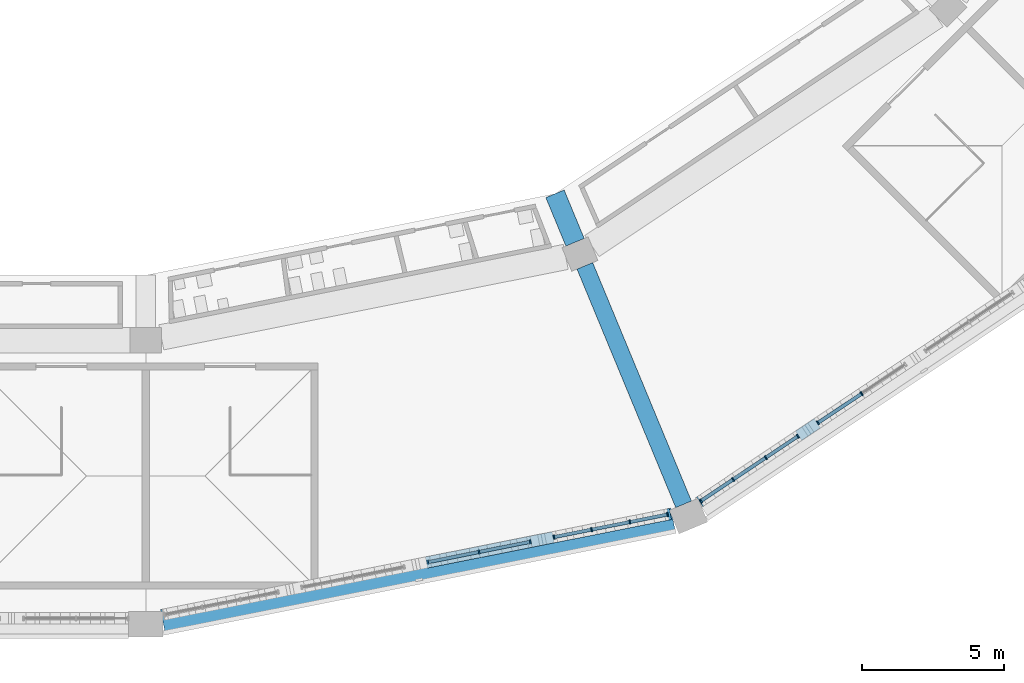
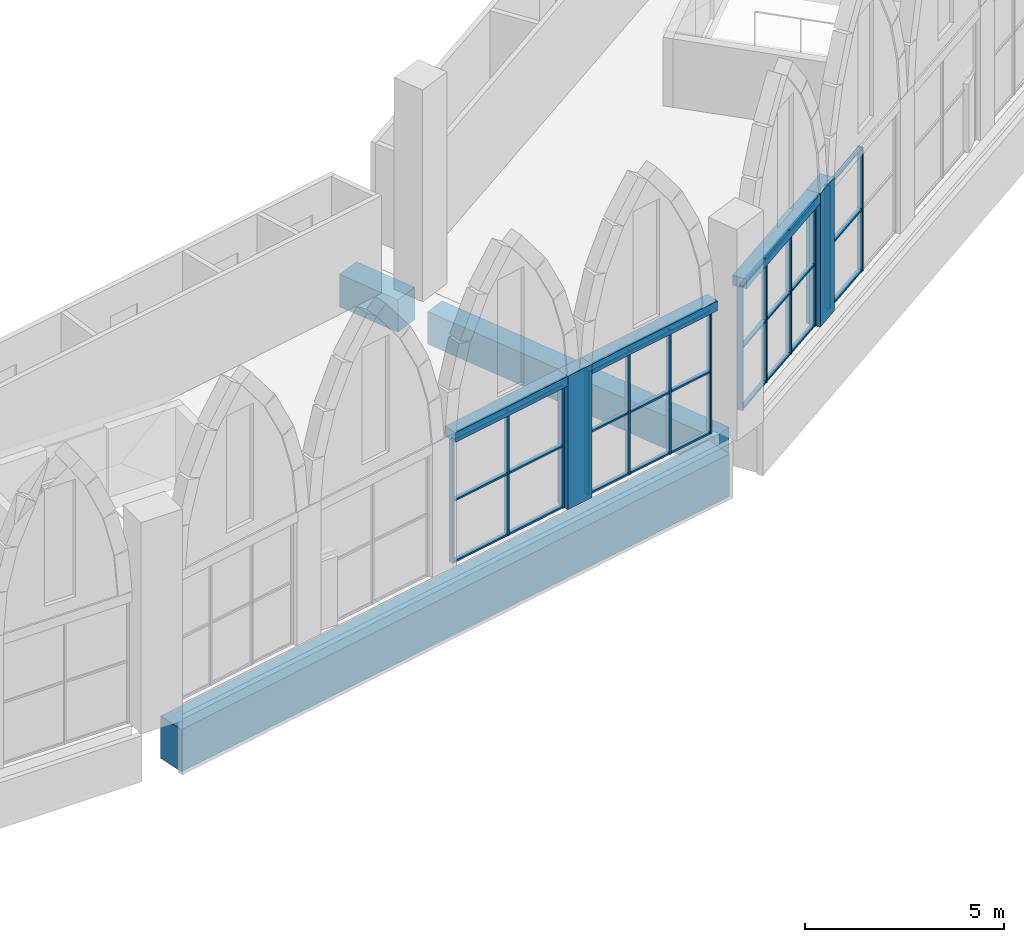
# One storey, part 17 of 130: 42 members, 6 beams, 4 elements without a shape of their own.
"""IFC4 building model written with IfcOpenShell, lengths in metres."""

from ifc_helpers import new_model, si_unit, direction, frame, origin, origin_2d, place, context, subcontext, project, spatial, rectangle, extrude, material, material_profile, profile_set, type_object, element, aggregate, save


model = new_model("IFC4")

# Units and contexts
model_context = context("Model", 3, precision=1e-05, world=origin(), true_north=direction((0.0, 1.0)))
body_context = subcontext(model_context, "Body", "Model", "MODEL_VIEW")
ifc_project = project(units=[si_unit("LENGTHUNIT", "METRE"), si_unit("AREAUNIT", "SQUARE_METRE"), si_unit("VOLUMEUNIT", "CUBIC_METRE"), si_unit("PLANEANGLEUNIT", "RADIAN"), si_unit("MASSUNIT", "GRAM", prefix="KILO")], contexts=[model_context])

# Site, building, storey
site_placement = place(None, origin())
site = spatial("IfcSite", under=ifc_project, at=site_placement, CompositionType="ELEMENT")
building_placement = place(site_placement, origin())
building = spatial("IfcBuilding", under=site, at=building_placement, Name="Ogive Plaza Stadium", CompositionType="ELEMENT")
storey_placement = place(building_placement, frame((0.0, 0.0, 22.5)))
storey = spatial("IfcBuildingStorey", under=building, at=storey_placement, Name="L05", CompositionType="ELEMENT", Elevation=22.5)

# Curtain wall, members
ifc_material_1 = material(Name="Bronze-anodised aluminium with laminated glass", Category="aluminium")
curtain_wall_type = type_object("IfcCurtainWallType", Name="Lancet curtain wall", PredefinedType="NOTDEFINED", material=ifc_material_1)
curtain_wall_1_placement = place(storey_placement, origin())
curtain_wall_1 = element("IfcCurtainWall", 1, at=curtain_wall_1_placement, inside=storey, type_object=curtain_wall_type, Name="CURTAIN WALL B10 L05", PredefinedType="NOTDEFINED")
ifc_material_2 = material(Name="Bronze-anodised aluminium", Category="aluminium")
ifc_material_profile_1 = material_profile(ifc_material_2, rectangle(XDim=0.14990234375, YDim=0.050048828125, at=origin_2d()), Name="AL 150x50")
ifc_profile_set_1 = profile_set([ifc_material_profile_1], Name="Bronze-anodised aluminium")
member_type_1 = type_object("IfcMemberType", Name="Curtain wall mullion 50x150", PredefinedType="MULLION", material=ifc_profile_set_1)
member_1_placement = place(storey_placement, frame((59.239013671875, -94.374267578125, 0.0), z_axis=(0.0, 0.0, 1.0), x_axis=(0.555570233237, -0.831469612157, 0.0)))
member_1 = element("IfcMember", 2, at=member_1_placement, type_object=member_type_1, Name="CW-B10-L05.3 mullion 2", PredefinedType="MULLION", context=body_context, shape_type="SweptSolid", body=[
    extrude(rectangle(XDim=0.14990234375, YDim=0.050048828125, at=origin_2d()), origin(), (0.0, 0.0, 1.0), 3.800048828125),
])
member_2_placement = place(storey_placement, frame((57.697998046875, -95.404052734375, 0.0), z_axis=(0.0, 0.0, 1.0), x_axis=(0.555570233237, -0.831469612157, 0.0)))
member_2 = element("IfcMember", 3, at=member_2_placement, type_object=member_type_1, Name="CW-B10-L05.3 mullion 3", PredefinedType="MULLION", context=body_context, shape_type="SweptSolid", body=[
    extrude(rectangle(XDim=0.14990234375, YDim=0.050048828125, at=origin_2d()), origin(), (0.0, 0.0, 1.0), 3.800048828125),
])

curtain_wall_2_placement = place(storey_placement, origin())
curtain_wall_2 = element("IfcCurtainWall", 4, at=curtain_wall_2_placement, inside=storey, type_object=curtain_wall_type, Name="CURTAIN WALL B10 L05", PredefinedType="NOTDEFINED")
member_3_placement = place(storey_placement, frame((56.9912109375, -95.876220703125, 0.0), z_axis=(0.0, 0.0, 1.0), x_axis=(0.555570232889, -0.83146961239, 0.0)))
member_3 = element("IfcMember", 5, at=member_3_placement, type_object=member_type_1, Name="CW-B10-L05.4 mullion 1", PredefinedType="MULLION", context=body_context, shape_type="SweptSolid", body=[
    extrude(rectangle(XDim=0.14990234375, YDim=0.050048828125, at=origin_2d()), origin(), (0.0, 0.0, 1.0), 3.800048828125),
])
member_4_placement = place(storey_placement, frame((55.85986328125, -96.63232421875, 0.0), z_axis=(0.0, 0.0, 1.0), x_axis=(0.555570232889, -0.83146961239, 0.0)))
member_4 = element("IfcMember", 6, at=member_4_placement, type_object=member_type_1, Name="CW-B10-L05.4 mullion 2", PredefinedType="MULLION", context=body_context, shape_type="SweptSolid", body=[
    extrude(rectangle(XDim=0.14990234375, YDim=0.050048828125, at=origin_2d()), origin(), (0.0, 0.0, 1.0), 3.800048828125),
])
member_5_placement = place(storey_placement, frame((54.707763671875, -97.402099609375, 0.0), z_axis=(0.0, 0.0, 1.0), x_axis=(0.555570232889, -0.83146961239, 0.0)))
member_5 = element("IfcMember", 7, at=member_5_placement, type_object=member_type_1, Name="CW-B10-L05.4 mullion 3", PredefinedType="MULLION", context=body_context, shape_type="SweptSolid", body=[
    extrude(rectangle(XDim=0.14990234375, YDim=0.050048828125, at=origin_2d()), origin(), (0.0, 0.0, 1.0), 3.800048828125),
])
member_6_placement = place(storey_placement, frame((53.576171875, -98.157958984375, 0.0), z_axis=(0.0, 0.0, 1.0), x_axis=(0.555570232889, -0.83146961239, 0.0)))
member_6 = element("IfcMember", 8, at=member_6_placement, type_object=member_type_1, Name="CW-B10-L05.4 mullion 4", PredefinedType="MULLION", context=body_context, shape_type="SweptSolid", body=[
    extrude(rectangle(XDim=0.14990234375, YDim=0.050048828125, at=origin_2d()), origin(), (0.0, 0.0, 1.0), 3.800048828125),
])

curtain_wall_3_placement = place(storey_placement, origin())
curtain_wall_3 = element("IfcCurtainWall", 9, at=curtain_wall_3_placement, inside=storey, type_object=curtain_wall_type, Name="CURTAIN WALL B11 L05", PredefinedType="NOTDEFINED")
member_7_placement = place(storey_placement, frame((52.392578125, -98.637451171875, 0.0), z_axis=(0.0, 0.0, 1.0), x_axis=(0.195090322016, -0.980785280403, 0.0)))
member_7 = element("IfcMember", 10, at=member_7_placement, type_object=member_type_1, Name="CW-B11-L05.1 mullion 1", PredefinedType="MULLION", context=body_context, shape_type="SweptSolid", body=[
    extrude(rectangle(XDim=0.14990234375, YDim=0.050048828125, at=origin_2d()), origin(), (0.0, 0.0, 1.0), 3.800048828125),
])
member_8_placement = place(storey_placement, frame((51.06640625, -98.9013671875, 0.0), z_axis=(0.0, 0.0, 1.0), x_axis=(0.195090322016, -0.980785280403, 0.0)))
member_8 = element("IfcMember", 11, at=member_8_placement, type_object=member_type_1, Name="CW-B11-L05.1 mullion 2", PredefinedType="MULLION", context=body_context, shape_type="SweptSolid", body=[
    extrude(rectangle(XDim=0.14990234375, YDim=0.050048828125, at=origin_2d()), origin(), (0.0, 0.0, 1.0), 3.800048828125),
])
member_9_placement = place(storey_placement, frame((49.715576171875, -99.170166015625, 0.0), z_axis=(0.0, 0.0, 1.0), x_axis=(0.195090322016, -0.980785280403, 0.0)))
member_9 = element("IfcMember", 12, at=member_9_placement, type_object=member_type_1, Name="CW-B11-L05.1 mullion 3", PredefinedType="MULLION", context=body_context, shape_type="SweptSolid", body=[
    extrude(rectangle(XDim=0.14990234375, YDim=0.050048828125, at=origin_2d()), origin(), (0.0, 0.0, 1.0), 3.800048828125),
])
member_10_placement = place(storey_placement, frame((48.389404296875, -99.433837890625, 0.0), z_axis=(0.0, 0.0, 1.0), x_axis=(0.195090322016, -0.980785280403, 0.0)))
member_10 = element("IfcMember", 13, at=member_10_placement, type_object=member_type_1, Name="CW-B11-L05.1 mullion 4", PredefinedType="MULLION", context=body_context, shape_type="SweptSolid", body=[
    extrude(rectangle(XDim=0.14990234375, YDim=0.050048828125, at=origin_2d()), origin(), (0.0, 0.0, 1.0), 3.800048828125),
])

curtain_wall_4_placement = place(storey_placement, origin())
curtain_wall_4 = element("IfcCurtainWall", 14, at=curtain_wall_4_placement, inside=storey, type_object=curtain_wall_type, Name="CURTAIN WALL B11 L05", PredefinedType="NOTDEFINED")
member_11_placement = place(storey_placement, frame((47.5556640625, -99.599609375, 0.0), z_axis=(0.0, 0.0, 1.0), x_axis=(0.195090321948, -0.980785280417, 0.0)))
member_11 = element("IfcMember", 15, at=member_11_placement, type_object=member_type_1, Name="CW-B11-L05.2 mullion 1", PredefinedType="MULLION", context=body_context, shape_type="SweptSolid", body=[
    extrude(rectangle(XDim=0.14990234375, YDim=0.050048828125, at=origin_2d()), origin(), (0.0, 0.0, 1.0), 3.800048828125),
])
member_12_placement = place(storey_placement, frame((45.750244140625, -99.958740234375, 0.0), z_axis=(0.0, 0.0, 1.0), x_axis=(0.195090321948, -0.980785280417, 0.0)))
member_12 = element("IfcMember", 16, at=member_12_placement, type_object=member_type_1, Name="CW-B11-L05.2 mullion 2", PredefinedType="MULLION", context=body_context, shape_type="SweptSolid", body=[
    extrude(rectangle(XDim=0.14990234375, YDim=0.050048828125, at=origin_2d()), origin(), (0.0, 0.0, 1.0), 3.800048828125),
])
member_13_placement = place(storey_placement, frame((43.94482421875, -100.31787109375, 0.0), z_axis=(0.0, 0.0, 1.0), x_axis=(0.195090321948, -0.980785280417, 0.0)))
member_13 = element("IfcMember", 17, at=member_13_placement, type_object=member_type_1, Name="CW-B11-L05.2 mullion 3", PredefinedType="MULLION", context=body_context, shape_type="SweptSolid", body=[
    extrude(rectangle(XDim=0.14990234375, YDim=0.050048828125, at=origin_2d()), origin(), (0.0, 0.0, 1.0), 3.800048828125),
])

# Member
ifc_material_3 = material(Name="Bronze-anodised aluminium", Category="aluminium")
ifc_material_profile_2 = material_profile(ifc_material_3, rectangle(XDim=0.1201171875, YDim=0.050048828125, at=origin_2d()), Name="AL 120x50")
ifc_profile_set_2 = profile_set([ifc_material_profile_2], Name="Bronze-anodised aluminium")
member_type_2 = type_object("IfcMemberType", Name="Curtain wall transom 50x120", PredefinedType="USERDEFINED", material=ifc_profile_set_2)
member_14_placement = place(storey_placement, frame((59.21826171875, -94.38818359375, 0.02490234375), z_axis=(-0.831466685303, -0.555574613559, 0.0), x_axis=(0.555574613559, -0.831466685303, 0.0)))
member_14 = element("IfcMember", 18, at=member_14_placement, type_object=member_type_2, Name="CW-B10-L05.3 transom 2.1", ObjectType="TRANSOM", PredefinedType="USERDEFINED", context=body_context, shape_type="SweptSolid", body=[
    extrude(rectangle(XDim=0.1201171875, YDim=0.050048828125, at=origin_2d()), origin(), (0.0, 0.0, 1.0), 1.803466796875),
])

member_15_placement = place(storey_placement, frame((59.21826171875, -94.38818359375, 1.89990234375), z_axis=(-0.831466685303, -0.555574613559, 0.0), x_axis=(0.555574613559, -0.831466685303, 0.0)))
member_15 = element("IfcMember", 19, at=member_15_placement, type_object=member_type_2, Name="CW-B10-L05.3 transom 2.2", ObjectType="TRANSOM", PredefinedType="USERDEFINED", context=body_context, shape_type="SweptSolid", body=[
    extrude(rectangle(XDim=0.1201171875, YDim=0.050048828125, at=origin_2d()), origin(), (0.0, 0.0, 1.0), 1.803466796875),
])

member_16_placement = place(storey_placement, frame((59.21826171875, -94.38818359375, 3.77490234375), z_axis=(-0.831466685303, -0.555574613559, 0.0), x_axis=(0.555574613559, -0.831466685303, 0.0)))
member_16 = element("IfcMember", 20, at=member_16_placement, type_object=member_type_2, Name="CW-B10-L05.3 transom 2.3", ObjectType="TRANSOM", PredefinedType="USERDEFINED", context=body_context, shape_type="SweptSolid", body=[
    extrude(rectangle(XDim=0.1201171875, YDim=0.050048828125, at=origin_2d()), origin(), (0.0, 0.0, 1.0), 1.803466796875),
])

aggregate(curtain_wall_1, [member_1, member_2, member_14, member_15, member_16])

member_17_placement = place(storey_placement, frame((56.970458984375, -95.89013671875, 0.02490234375), z_axis=(-0.83144805367, -0.555602496438, 0.0), x_axis=(0.555602496438, -0.83144805367, 0.0)))
member_17 = element("IfcMember", 21, at=member_17_placement, type_object=member_type_2, Name="CW-B10-L05.4 transom 1.1", ObjectType="TRANSOM", PredefinedType="USERDEFINED", context=body_context, shape_type="SweptSolid", body=[
    extrude(rectangle(XDim=0.1201171875, YDim=0.050048828125, at=origin_2d()), origin(), (0.0, 0.0, 1.0), 1.310791015625),
])

member_18_placement = place(storey_placement, frame((56.970458984375, -95.89013671875, 1.89990234375), z_axis=(-0.83144805367, -0.555602496438, 0.0), x_axis=(0.555602496438, -0.83144805367, 0.0)))
member_18 = element("IfcMember", 22, at=member_18_placement, type_object=member_type_2, Name="CW-B10-L05.4 transom 1.2", ObjectType="TRANSOM", PredefinedType="USERDEFINED", context=body_context, shape_type="SweptSolid", body=[
    extrude(rectangle(XDim=0.1201171875, YDim=0.050048828125, at=origin_2d()), origin(), (0.0, 0.0, 1.0), 1.310791015625),
])

member_19_placement = place(storey_placement, frame((56.970458984375, -95.89013671875, 3.77490234375), z_axis=(-0.83144805367, -0.555602496438, 0.0), x_axis=(0.555602496438, -0.83144805367, 0.0)))
member_19 = element("IfcMember", 23, at=member_19_placement, type_object=member_type_2, Name="CW-B10-L05.4 transom 1.3", ObjectType="TRANSOM", PredefinedType="USERDEFINED", context=body_context, shape_type="SweptSolid", body=[
    extrude(rectangle(XDim=0.1201171875, YDim=0.050048828125, at=origin_2d()), origin(), (0.0, 0.0, 1.0), 1.310791015625),
])

member_20_placement = place(storey_placement, frame((55.839111328125, -96.64599609375, 0.02490234375), z_axis=(-0.831431163002, -0.555627772154, 0.0), x_axis=(0.555627772154, -0.831431163002, 0.0)))
member_20 = element("IfcMember", 24, at=member_20_placement, type_object=member_type_2, Name="CW-B10-L05.4 transom 2.1", ObjectType="TRANSOM", PredefinedType="USERDEFINED", context=body_context, shape_type="SweptSolid", body=[
    extrude(rectangle(XDim=0.1201171875, YDim=0.050048828125, at=origin_2d()), origin(), (0.0, 0.0, 1.0), 1.335693359375),
])

member_21_placement = place(storey_placement, frame((55.839111328125, -96.64599609375, 1.89990234375), z_axis=(-0.831431163002, -0.555627772154, 0.0), x_axis=(0.555627772154, -0.831431163002, 0.0)))
member_21 = element("IfcMember", 25, at=member_21_placement, type_object=member_type_2, Name="CW-B10-L05.4 transom 2.2", ObjectType="TRANSOM", PredefinedType="USERDEFINED", context=body_context, shape_type="SweptSolid", body=[
    extrude(rectangle(XDim=0.1201171875, YDim=0.050048828125, at=origin_2d()), origin(), (0.0, 0.0, 1.0), 1.335693359375),
])

member_22_placement = place(storey_placement, frame((55.839111328125, -96.64599609375, 3.77490234375), z_axis=(-0.831431163002, -0.555627772154, 0.0), x_axis=(0.555627772154, -0.831431163002, 0.0)))
member_22 = element("IfcMember", 26, at=member_22_placement, type_object=member_type_2, Name="CW-B10-L05.4 transom 2.3", ObjectType="TRANSOM", PredefinedType="USERDEFINED", context=body_context, shape_type="SweptSolid", body=[
    extrude(rectangle(XDim=0.1201171875, YDim=0.050048828125, at=origin_2d()), origin(), (0.0, 0.0, 1.0), 1.335693359375),
])

member_23_placement = place(storey_placement, frame((54.686767578125, -97.416015625, 0.02490234375), z_axis=(-0.831476605676, -0.555559766553, 0.0), x_axis=(0.555559766553, -0.831476605676, 0.0)))
member_23 = element("IfcMember", 27, at=member_23_placement, type_object=member_type_2, Name="CW-B10-L05.4 transom 3.1", ObjectType="TRANSOM", PredefinedType="USERDEFINED", context=body_context, shape_type="SweptSolid", body=[
    extrude(rectangle(XDim=0.1201171875, YDim=0.050048828125, at=origin_2d()), origin(), (0.0, 0.0, 1.0), 1.310546875),
])

member_24_placement = place(storey_placement, frame((54.686767578125, -97.416015625, 1.89990234375), z_axis=(-0.831476605676, -0.555559766553, 0.0), x_axis=(0.555559766553, -0.831476605676, 0.0)))
member_24 = element("IfcMember", 28, at=member_24_placement, type_object=member_type_2, Name="CW-B10-L05.4 transom 3.2", ObjectType="TRANSOM", PredefinedType="USERDEFINED", context=body_context, shape_type="SweptSolid", body=[
    extrude(rectangle(XDim=0.1201171875, YDim=0.050048828125, at=origin_2d()), origin(), (0.0, 0.0, 1.0), 1.310546875),
])

member_25_placement = place(storey_placement, frame((54.686767578125, -97.416015625, 3.77490234375), z_axis=(-0.831476605676, -0.555559766553, 0.0), x_axis=(0.555559766553, -0.831476605676, 0.0)))
member_25 = element("IfcMember", 29, at=member_25_placement, type_object=member_type_2, Name="CW-B10-L05.4 transom 3.3", ObjectType="TRANSOM", PredefinedType="USERDEFINED", context=body_context, shape_type="SweptSolid", body=[
    extrude(rectangle(XDim=0.1201171875, YDim=0.050048828125, at=origin_2d()), origin(), (0.0, 0.0, 1.0), 1.310546875),
])

aggregate(curtain_wall_2, [member_3, member_4, member_5, member_6, member_17, member_18, member_19, member_20, member_21, member_22, member_23, member_24, member_25])

member_26_placement = place(storey_placement, frame((52.3681640625, -98.642333984375, 0.02490234375), z_axis=(-0.980774859472, -0.195142704264, 0.0), x_axis=(0.195142704264, -0.980774859472, 0.0)))
member_26 = element("IfcMember", 30, at=member_26_placement, type_object=member_type_2, Name="CW-B11-L05.1 transom 1.1", ObjectType="TRANSOM", PredefinedType="USERDEFINED", context=body_context, shape_type="SweptSolid", body=[
    extrude(rectangle(XDim=0.1201171875, YDim=0.050048828125, at=origin_2d()), origin(), (0.0, 0.0, 1.0), 1.302490234375),
])

member_27_placement = place(storey_placement, frame((52.3681640625, -98.642333984375, 1.89990234375), z_axis=(-0.980774859472, -0.195142704264, 0.0), x_axis=(0.195142704264, -0.980774859472, 0.0)))
member_27 = element("IfcMember", 31, at=member_27_placement, type_object=member_type_2, Name="CW-B11-L05.1 transom 1.2", ObjectType="TRANSOM", PredefinedType="USERDEFINED", context=body_context, shape_type="SweptSolid", body=[
    extrude(rectangle(XDim=0.1201171875, YDim=0.050048828125, at=origin_2d()), origin(), (0.0, 0.0, 1.0), 1.302490234375),
])

member_28_placement = place(storey_placement, frame((52.3681640625, -98.642333984375, 3.77490234375), z_axis=(-0.980774859472, -0.195142704264, 0.0), x_axis=(0.195142704264, -0.980774859472, 0.0)))
member_28 = element("IfcMember", 32, at=member_28_placement, type_object=member_type_2, Name="CW-B11-L05.1 transom 1.3", ObjectType="TRANSOM", PredefinedType="USERDEFINED", context=body_context, shape_type="SweptSolid", body=[
    extrude(rectangle(XDim=0.1201171875, YDim=0.050048828125, at=origin_2d()), origin(), (0.0, 0.0, 1.0), 1.302490234375),
])

member_29_placement = place(storey_placement, frame((51.041748046875, -98.90625, 0.02490234375), z_axis=(-0.980764218012, -0.19519617995, 0.0), x_axis=(0.19519617995, -0.980764218012, 0.0)))
member_29 = element("IfcMember", 33, at=member_29_placement, type_object=member_type_2, Name="CW-B11-L05.1 transom 2.1", ObjectType="TRANSOM", PredefinedType="USERDEFINED", context=body_context, shape_type="SweptSolid", body=[
    extrude(rectangle(XDim=0.1201171875, YDim=0.050048828125, at=origin_2d()), origin(), (0.0, 0.0, 1.0), 1.3271484375),
])

member_30_placement = place(storey_placement, frame((51.041748046875, -98.90625, 1.89990234375), z_axis=(-0.980764218012, -0.19519617995, 0.0), x_axis=(0.19519617995, -0.980764218012, 0.0)))
member_30 = element("IfcMember", 34, at=member_30_placement, type_object=member_type_2, Name="CW-B11-L05.1 transom 2.2", ObjectType="TRANSOM", PredefinedType="USERDEFINED", context=body_context, shape_type="SweptSolid", body=[
    extrude(rectangle(XDim=0.1201171875, YDim=0.050048828125, at=origin_2d()), origin(), (0.0, 0.0, 1.0), 1.3271484375),
])

member_31_placement = place(storey_placement, frame((51.041748046875, -98.90625, 3.77490234375), z_axis=(-0.980764218012, -0.19519617995, 0.0), x_axis=(0.19519617995, -0.980764218012, 0.0)))
member_31 = element("IfcMember", 35, at=member_31_placement, type_object=member_type_2, Name="CW-B11-L05.1 transom 2.3", ObjectType="TRANSOM", PredefinedType="USERDEFINED", context=body_context, shape_type="SweptSolid", body=[
    extrude(rectangle(XDim=0.1201171875, YDim=0.050048828125, at=origin_2d()), origin(), (0.0, 0.0, 1.0), 1.3271484375),
])

member_32_placement = place(storey_placement, frame((49.691162109375, -99.1748046875, 0.02490234375), z_axis=(-0.980767719015, -0.195178588319, 0.0), x_axis=(0.195178588319, -0.980767719015, 0.0)))
member_32 = element("IfcMember", 36, at=member_32_placement, type_object=member_type_2, Name="CW-B11-L05.1 transom 3.1", ObjectType="TRANSOM", PredefinedType="USERDEFINED", context=body_context, shape_type="SweptSolid", body=[
    extrude(rectangle(XDim=0.1201171875, YDim=0.050048828125, at=origin_2d()), origin(), (0.0, 0.0, 1.0), 1.30224609375),
])

member_33_placement = place(storey_placement, frame((49.691162109375, -99.1748046875, 1.89990234375), z_axis=(-0.980767719015, -0.195178588319, 0.0), x_axis=(0.195178588319, -0.980767719015, 0.0)))
member_33 = element("IfcMember", 37, at=member_33_placement, type_object=member_type_2, Name="CW-B11-L05.1 transom 3.2", ObjectType="TRANSOM", PredefinedType="USERDEFINED", context=body_context, shape_type="SweptSolid", body=[
    extrude(rectangle(XDim=0.1201171875, YDim=0.050048828125, at=origin_2d()), origin(), (0.0, 0.0, 1.0), 1.30224609375),
])

member_34_placement = place(storey_placement, frame((49.691162109375, -99.1748046875, 3.77490234375), z_axis=(-0.980767719015, -0.195178588319, 0.0), x_axis=(0.195178588319, -0.980767719015, 0.0)))
member_34 = element("IfcMember", 38, at=member_34_placement, type_object=member_type_2, Name="CW-B11-L05.1 transom 3.3", ObjectType="TRANSOM", PredefinedType="USERDEFINED", context=body_context, shape_type="SweptSolid", body=[
    extrude(rectangle(XDim=0.1201171875, YDim=0.050048828125, at=origin_2d()), origin(), (0.0, 0.0, 1.0), 1.30224609375),
])

aggregate(curtain_wall_3, [member_7, member_8, member_9, member_10, member_26, member_27, member_28, member_29, member_30, member_31, member_32, member_33, member_34])

member_35_placement = place(storey_placement, frame((47.53125, -99.6044921875, 0.02490234375), z_axis=(-0.980784643133, -0.195093525761, 0.0), x_axis=(0.195093525761, -0.980784643133, 0.0)))
member_35 = element("IfcMember", 39, at=member_35_placement, type_object=member_type_2, Name="CW-B11-L05.2 transom 1.1", ObjectType="TRANSOM", PredefinedType="USERDEFINED", context=body_context, shape_type="SweptSolid", body=[
    extrude(rectangle(XDim=0.1201171875, YDim=0.050048828125, at=origin_2d()), origin(), (0.0, 0.0, 1.0), 1.790771484375),
])

member_36_placement = place(storey_placement, frame((47.53125, -99.6044921875, 1.89990234375), z_axis=(-0.980784643133, -0.195093525761, 0.0), x_axis=(0.195093525761, -0.980784643133, 0.0)))
member_36 = element("IfcMember", 40, at=member_36_placement, type_object=member_type_2, Name="CW-B11-L05.2 transom 1.2", ObjectType="TRANSOM", PredefinedType="USERDEFINED", context=body_context, shape_type="SweptSolid", body=[
    extrude(rectangle(XDim=0.1201171875, YDim=0.050048828125, at=origin_2d()), origin(), (0.0, 0.0, 1.0), 1.790771484375),
])

member_37_placement = place(storey_placement, frame((47.53125, -99.6044921875, 3.77490234375), z_axis=(-0.980784643133, -0.195093525761, 0.0), x_axis=(0.195093525761, -0.980784643133, 0.0)))
member_37 = element("IfcMember", 41, at=member_37_placement, type_object=member_type_2, Name="CW-B11-L05.2 transom 1.3", ObjectType="TRANSOM", PredefinedType="USERDEFINED", context=body_context, shape_type="SweptSolid", body=[
    extrude(rectangle(XDim=0.1201171875, YDim=0.050048828125, at=origin_2d()), origin(), (0.0, 0.0, 1.0), 1.790771484375),
])

member_38_placement = place(storey_placement, frame((45.725830078125, -99.963623046875, 0.02490234375), z_axis=(-0.980784643133, -0.195093525761, 0.0), x_axis=(0.195093525761, -0.980784643133, 0.0)))
member_38 = element("IfcMember", 42, at=member_38_placement, type_object=member_type_2, Name="CW-B11-L05.2 transom 2.1", ObjectType="TRANSOM", PredefinedType="USERDEFINED", context=body_context, shape_type="SweptSolid", body=[
    extrude(rectangle(XDim=0.1201171875, YDim=0.050048828125, at=origin_2d()), origin(), (0.0, 0.0, 1.0), 1.790771484375),
])

member_39_placement = place(storey_placement, frame((45.725830078125, -99.963623046875, 1.89990234375), z_axis=(-0.980784643133, -0.195093525761, 0.0), x_axis=(0.195093525761, -0.980784643133, 0.0)))
member_39 = element("IfcMember", 43, at=member_39_placement, type_object=member_type_2, Name="CW-B11-L05.2 transom 2.2", ObjectType="TRANSOM", PredefinedType="USERDEFINED", context=body_context, shape_type="SweptSolid", body=[
    extrude(rectangle(XDim=0.1201171875, YDim=0.050048828125, at=origin_2d()), origin(), (0.0, 0.0, 1.0), 1.790771484375),
])

member_40_placement = place(storey_placement, frame((45.725830078125, -99.963623046875, 3.77490234375), z_axis=(-0.980784643133, -0.195093525761, 0.0), x_axis=(0.195093525761, -0.980784643133, 0.0)))
member_40 = element("IfcMember", 44, at=member_40_placement, type_object=member_type_2, Name="CW-B11-L05.2 transom 2.3", ObjectType="TRANSOM", PredefinedType="USERDEFINED", context=body_context, shape_type="SweptSolid", body=[
    extrude(rectangle(XDim=0.1201171875, YDim=0.050048828125, at=origin_2d()), origin(), (0.0, 0.0, 1.0), 1.790771484375),
])

aggregate(curtain_wall_4, [member_11, member_12, member_13, member_35, member_36, member_37, member_38, member_39, member_40])

# Members
ifc_material_4 = material(Name="Concrete C45/55 precast", Category="concrete")
ifc_material_profile_3 = material_profile(ifc_material_4, rectangle(XDim=0.39990234375, YDim=0.800048828125, at=origin_2d()), Name="RC 400x800")
ifc_profile_set_3 = profile_set([ifc_material_profile_3], Name="Concrete C45/55 precast")
member_type_3 = type_object("IfcMemberType", Name="Precast colonette 800x400", PredefinedType="POST", material=ifc_profile_set_3)
for number, where, z_axis, x_axis, name in (
    (45, (57.344482421875, -95.64013671875, 0.0), (0.0, 0.0, 1.0), (0.55557023302, -0.831469612303, 0.0), "COLONETTE B10 3"),
    (46, (47.97265625, -99.516845703125, 0.0), (0.0, 0.0, 1.0), (0.195090322016, -0.980785280403, 0.0), "COLONETTE B11 1"),
):
    element("IfcMember", number, at=place(storey_placement, frame(where, z_axis=z_axis, x_axis=x_axis)), inside=storey, type_object=member_type_3, Name=name, PredefinedType="POST", context=body_context, shape_type="SweptSolid", body=[
        extrude(rectangle(XDim=0.39990234375, YDim=0.800048828125, at=origin_2d()), origin(), (0.0, 0.0, 1.0), 4.10009765625),
    ])

# Beams
ifc_material_5 = material(Name="Concrete C45/55 precast", Category="concrete")
ifc_material_profile_4 = material_profile(ifc_material_5, rectangle(XDim=0.39990234375, YDim=0.300048828125, at=origin_2d()), Name="RC 400x300")
ifc_profile_set_4 = profile_set([ifc_material_profile_4], Name="Concrete C45/55 precast")
beam_type_1 = type_object("IfcBeamType", Name="Precast tympanum lintel 400x300", PredefinedType="BEAM", material=ifc_profile_set_4)
beam_1_placement = place(storey_placement, frame((57.036865234375, -95.845703125, 3.949951171875), z_axis=(-0.831479817514, -0.555554959537, 0.0), x_axis=(0.555554959537, -0.831479817514, 0.0)))
element("IfcBeam", 47, at=beam_1_placement, inside=storey, type_object=beam_type_1, Name="TYMPANUM LINTEL B10 4", PredefinedType="BEAM", context=body_context, shape_type="SweptSolid", body=[
    extrude(rectangle(XDim=0.39990234375, YDim=0.300048828125, at=origin_2d()), origin(), (0.0, 0.0, 1.0), 4.217041015625),
])
beam_2_placement = place(storey_placement, frame((52.49658203125, -98.616943359375, 3.949951171875), z_axis=(-0.980788169379, -0.195075797594, 0.0), x_axis=(0.195075797594, -0.980788169379, 0.0)))
element("IfcBeam", 48, at=beam_2_placement, inside=storey, type_object=beam_type_1, Name="TYMPANUM LINTEL B11 1", PredefinedType="BEAM", context=body_context, shape_type="SweptSolid", body=[
    extrude(rectangle(XDim=0.39990234375, YDim=0.300048828125, at=origin_2d()), origin(), (0.0, 0.0, 1.0), 4.24267578125),
])
beam_3_placement = place(storey_placement, frame((47.609619140625, -99.5888671875, 3.949951171875), z_axis=(-0.980783225054, -0.195100654669, 0.0), x_axis=(0.195100654669, -0.980783225054, 0.0)))
element("IfcBeam", 49, at=beam_3_placement, inside=storey, type_object=beam_type_1, Name="TYMPANUM LINTEL B11 2", PredefinedType="BEAM", context=body_context, shape_type="SweptSolid", body=[
    extrude(rectangle(XDim=0.39990234375, YDim=0.300048828125, at=origin_2d()), origin(), (0.0, 0.0, 1.0), 3.79150390625),
])
ifc_material_6 = material(Name="Concrete C40/50", Category="concrete")
ifc_material_profile_5 = material_profile(ifc_material_6, rectangle(XDim=0.60009765625, YDim=1.0, at=origin_2d()), Name="RC 600x1000")
ifc_profile_set_5 = profile_set([ifc_material_profile_5], Name="Concrete C40/50")
beam_type_2 = type_object("IfcBeamType", Name="RC radial beam 600x1000", PredefinedType="BEAM", material=ifc_profile_set_5)
beam_4_placement = place(storey_placement, frame((49.4794921875, -89.870849609375, -0.909912109375), z_axis=(0.382677193504, -0.923882116707, 0.0), x_axis=(0.923882116707, 0.382677193504, 0.0)))
element("IfcBeam", 50, at=beam_4_placement, inside=storey, type_object=beam_type_2, Name="Radial beam L05 R11 F4F5", PredefinedType="BEAM", context=body_context, shape_type="SweptSolid", body=[
    extrude(rectangle(XDim=0.60009765625, YDim=1.0, at=origin_2d()), origin(), (0.0, 0.0, 1.0), 9.10009765625),
])
ifc_material_7 = material(Name="Concrete C40/50", Category="concrete")
ifc_material_profile_6 = material_profile(ifc_material_7, rectangle(XDim=0.699951171875, YDim=1.0, at=origin_2d()), Name="RC 700x1000")
ifc_profile_set_6 = profile_set([ifc_material_profile_6], Name="Concrete C40/50")
beam_type_3 = type_object("IfcBeamType", Name="RC radial beam 700x1000", PredefinedType="BEAM", material=ifc_profile_set_6)
beam_5_placement = place(storey_placement, frame((48.42724609375, -87.330322265625, -0.909912109375), z_axis=(0.382581020213, -0.923921946364, 0.0), x_axis=(0.923921946364, 0.382581020213, 0.0)))
element("IfcBeam", 51, at=beam_5_placement, inside=storey, type_object=beam_type_3, Name="Raker tail beam UT R11", PredefinedType="BEAM", context=body_context, shape_type="SweptSolid", body=[
    extrude(rectangle(XDim=0.699951171875, YDim=1.0, at=origin_2d()), origin(), (0.0, 0.0, 1.0), 1.849853515625),
])
ifc_material_8 = material(Name="Concrete C40/50", Category="concrete")
ifc_material_profile_7 = material_profile(ifc_material_8, rectangle(XDim=0.800048828125, YDim=1.300048828125, at=origin_2d()), Name="RC 800x1300")
ifc_profile_set_7 = profile_set([ifc_material_profile_7], Name="Concrete C40/50")
beam_type_4 = type_object("IfcBeamType", Name="RC spandrel beam 800x1300", PredefinedType="SPANDREL", material=ifc_profile_set_7)
beam_6_placement = place(storey_placement, frame((52.584228515625, -98.803466796875, -1.06005859375), z_axis=(-0.980786507619, -0.195084152283, 0.0), x_axis=(0.195084152283, -0.980786507619, 0.0)))
element("IfcBeam", 52, at=beam_6_placement, inside=storey, type_object=beam_type_4, Name="Ring beam F5 L05 B11", PredefinedType="SPANDREL", context=body_context, shape_type="SweptSolid", body=[
    extrude(rectangle(XDim=0.800048828125, YDim=1.300048828125, at=origin_2d()), origin(), (0.0, 0.0, 1.0), 18.33642578125),
])

save(model, "model.ifc")
